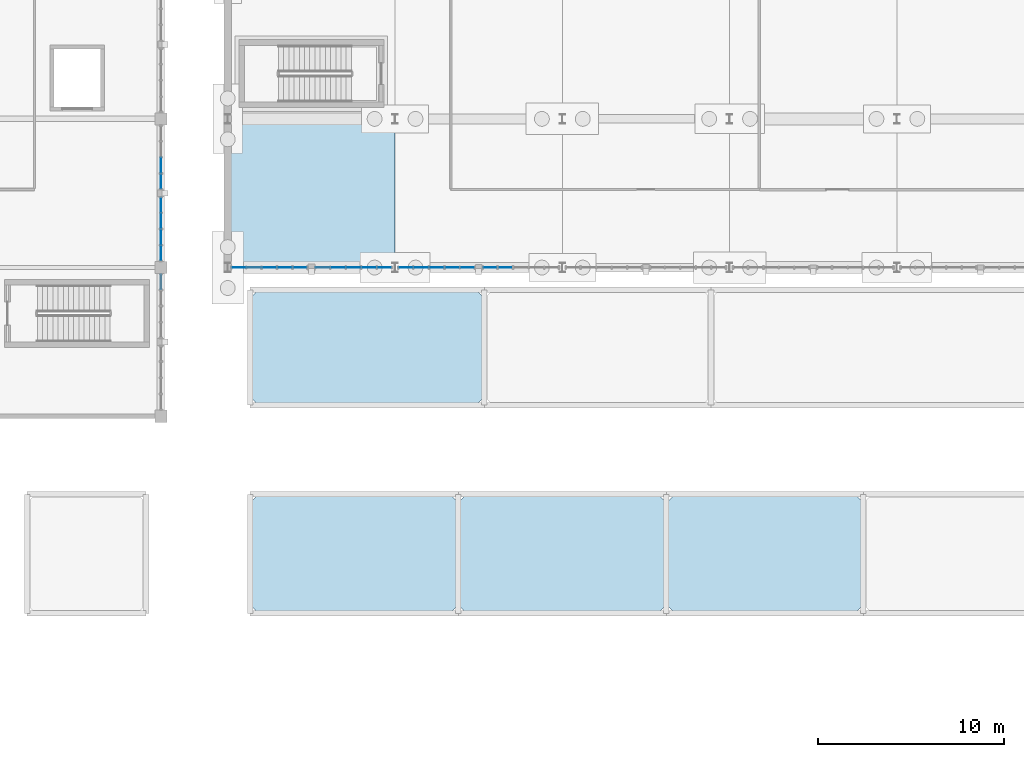
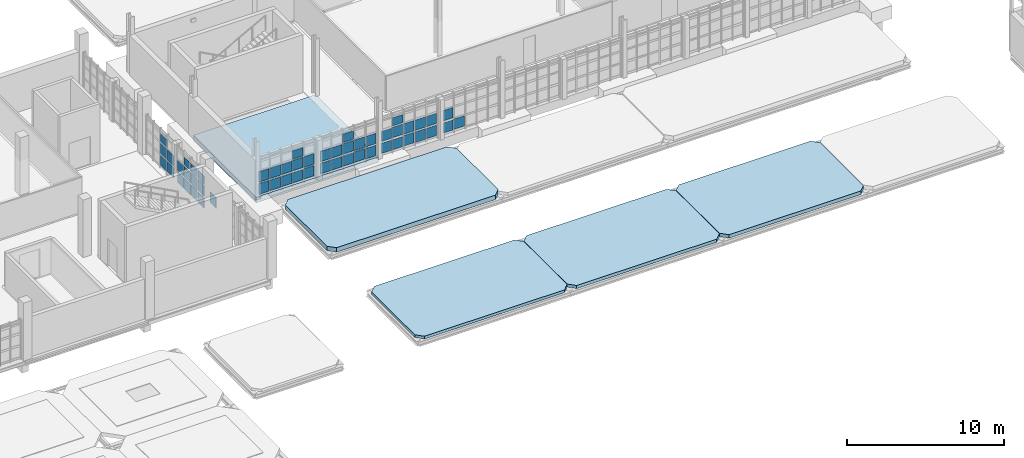
# One storey, part 84 of 125: 53 plates, 5 slabs, 7 elements without a shape of their own.
"""IFC4 building model written with IfcOpenShell, lengths in metres."""

from ifc_helpers import new_model, si_unit, direction, frame, origin, origin_2d, place, context, subcontext, project, spatial, polyline, rectangle, outline, extrude, material, layer, layer_set, type_object, element, aggregate, save


model = new_model("IFC4")

# Units and contexts
model_context = context("Model", 3, precision=1e-05, world=origin(), true_north=direction((0.0, 1.0)))
body_context = subcontext(model_context, "Body", "Model", "MODEL_VIEW")
ifc_project = project(units=[si_unit("LENGTHUNIT", "METRE"), si_unit("AREAUNIT", "SQUARE_METRE"), si_unit("VOLUMEUNIT", "CUBIC_METRE"), si_unit("PLANEANGLEUNIT", "RADIAN"), si_unit("MASSUNIT", "GRAM", prefix="KILO")], contexts=[model_context])

# Site, building, storey
site_placement = place(None, origin())
site = spatial("IfcSite", under=ifc_project, at=site_placement, CompositionType="ELEMENT")
building_placement = place(site_placement, origin())
building = spatial("IfcBuilding", under=site, at=building_placement, Name="Serraforn Aerial Cableway Station", CompositionType="ELEMENT")
storey_placement = place(building_placement, frame((0.0, 0.0, 4.5)))
storey = spatial("IfcBuildingStorey", under=building, at=storey_placement, Name="L01", CompositionType="ELEMENT", Elevation=4.5)

# Curtain wall, plates
ifc_material_1 = material(Name="Anodised bronze unitised curtain wall")
curtain_wall_type_1 = type_object("IfcCurtainWallType", Name="CW-SYS-3", PredefinedType="USERDEFINED", material=ifc_material_1)
curtain_wall_1_placement = place(storey_placement, origin())
curtain_wall_1 = element("IfcCurtainWall", 1, at=curtain_wall_1_placement, inside=storey, type_object=curtain_wall_type_1, Name="Unitised Curtain Wall CW-CV-L01-E2A", ObjectType="UNITISED CURTAIN WALL", PredefinedType="USERDEFINED")
ifc_material_2 = material(Name="Solar-control low-E double glazing", Category="glass")
ifc_layer_1 = layer(ifc_material_2, 0.02587890625)
ifc_layer_set_1 = layer_set([ifc_layer_1], Name="Solar-control low-E double glazing")
plate_type_1 = type_object("IfcPlateType", Name="CW-GLZ-1", PredefinedType="CURTAIN_PANEL", material=ifc_layer_set_1)
plate_1_placement = place(storey_placement, frame((90.60009765625, 26.775146484375, 1.14111328125), z_axis=(0.0, 0.0, 1.0), x_axis=(1.0, 0.0, 0.0)))
plate_1 = element("IfcPlate", 2, at=plate_1_placement, type_object=plate_type_1, Name="Curtain Wall Panel CW-CV-L01-E2A-P1-2", PredefinedType="CURTAIN_PANEL", context=body_context, shape_type="SweptSolid", body=[
    extrude(rectangle(XDim=0.02587890625, YDim=0.7783203125, at=origin_2d()), origin(), (0.0, 0.0, 1.0), 0.802490234375),
])
plate_2_placement = place(storey_placement, frame((90.60009765625, 27.633056640625, 0.20556640625), z_axis=(0.0, 0.0, 1.0), x_axis=(1.0, 0.0, 0.0)))
plate_2 = element("IfcPlate", 3, at=plate_2_placement, type_object=plate_type_1, Name="Curtain Wall Panel CW-CV-L01-E2A-P2-1", PredefinedType="CURTAIN_PANEL", context=body_context, shape_type="SweptSolid", body=[
    extrude(rectangle(XDim=0.02587890625, YDim=0.8056640625, at=origin_2d()), origin(), (0.0, 0.0, 1.0), 0.802490234375),
])

# Curtain wall, plate
curtain_wall_type_2 = type_object("IfcCurtainWallType", Name="CW-SYS-4", PredefinedType="USERDEFINED", material=ifc_material_1)
curtain_wall_2_placement = place(storey_placement, origin())
curtain_wall_2 = element("IfcCurtainWall", 4, at=curtain_wall_2_placement, inside=storey, type_object=curtain_wall_type_2, Name="Unitised Curtain Wall CW-CV-L01-E2B", ObjectType="UNITISED CURTAIN WALL", PredefinedType="USERDEFINED")
plate_3_placement = place(storey_placement, frame((90.60009765625, 30.63330078125, 0.20556640625), z_axis=(0.0, 0.0, 1.0), x_axis=(1.0, 0.0, 0.0)))
plate_3 = element("IfcPlate", 5, at=plate_3_placement, type_object=plate_type_1, Name="Curtain Wall Panel CW-CV-L01-E2B-P1-1", PredefinedType="CURTAIN_PANEL", context=body_context, shape_type="SweptSolid", body=[
    extrude(rectangle(XDim=0.02587890625, YDim=0.770751953125, at=origin_2d()), origin(), (0.0, 0.0, 1.0), 0.802490234375),
])

# Curtain wall, plates
curtain_wall_type_3 = type_object("IfcCurtainWallType", Name="CW-SYS-9", PredefinedType="USERDEFINED", material=ifc_material_1)
curtain_wall_3_placement = place(storey_placement, origin())
curtain_wall_3 = element("IfcCurtainWall", 6, at=curtain_wall_3_placement, inside=storey, type_object=curtain_wall_type_3, Name="Unitised Curtain Wall CW-EL-L01-S1A", ObjectType="UNITISED CURTAIN WALL", PredefinedType="USERDEFINED")
plate_4_placement = place(storey_placement, frame((96.4326171875, 26.0, 1.1337890625), z_axis=(0.0, 0.0, 1.0), x_axis=(1.0, 0.0, 0.0)))
plate_4 = element("IfcPlate", 7, at=plate_4_placement, type_object=plate_type_1, Name="Curtain Wall Panel CW-EL-L01-S1A-P3-2", PredefinedType="CURTAIN_PANEL", context=body_context, shape_type="SweptSolid", body=[
    extrude(rectangle(XDim=0.77587890625, YDim=0.02587890625, at=origin_2d()), origin(), (0.0, 0.0, 1.0), 0.782470703125),
])
plate_5_placement = place(storey_placement, frame((97.26708984375, 26.0, 0.19775390625), z_axis=(0.0, 0.0, 1.0), x_axis=(1.0, 0.0, 0.0)))
plate_5 = element("IfcPlate", 8, at=plate_5_placement, type_object=plate_type_1, Name="Curtain Wall Panel CW-EL-L01-S1A-P4-1", PredefinedType="CURTAIN_PANEL", context=body_context, shape_type="SweptSolid", body=[
    extrude(rectangle(XDim=0.77099609375, YDim=0.02587890625, at=origin_2d()), origin(), (0.0, 0.0, 1.0), 0.782470703125),
])

curtain_wall_type_4 = type_object("IfcCurtainWallType", Name="CW-SYS-10", PredefinedType="USERDEFINED", material=ifc_material_1)
curtain_wall_4_placement = place(storey_placement, origin())
curtain_wall_4 = element("IfcCurtainWall", 9, at=curtain_wall_4_placement, inside=storey, type_object=curtain_wall_type_4, Name="Unitised Curtain Wall CW-EL-L01-S1B", ObjectType="UNITISED CURTAIN WALL", PredefinedType="USERDEFINED")
plate_6_placement = place(storey_placement, frame((100.13037109375, 26.0, 1.1337890625), z_axis=(0.0, 0.0, 1.0), x_axis=(1.0, 0.0, 0.0)))
plate_6 = element("IfcPlate", 10, at=plate_6_placement, type_object=plate_type_1, Name="Curtain Wall Panel CW-EL-L01-S1B-P2-2", PredefinedType="CURTAIN_PANEL", context=body_context, shape_type="SweptSolid", body=[
    extrude(rectangle(XDim=0.77587890625, YDim=0.02587890625, at=origin_2d()), origin(), (0.0, 0.0, 1.0), 0.782470703125),
])
plate_7_placement = place(storey_placement, frame((100.964599609375, 26.0, 0.19775390625), z_axis=(0.0, 0.0, 1.0), x_axis=(1.0, 0.0, 0.0)))
plate_7 = element("IfcPlate", 11, at=plate_7_placement, type_object=plate_type_1, Name="Curtain Wall Panel CW-EL-L01-S1B-P3-1", PredefinedType="CURTAIN_PANEL", context=body_context, shape_type="SweptSolid", body=[
    extrude(rectangle(XDim=0.77099609375, YDim=0.02587890625, at=origin_2d()), origin(), (0.0, 0.0, 1.0), 0.782470703125),
])

curtain_wall_type_5 = type_object("IfcCurtainWallType", Name="CW-SYS-11", PredefinedType="USERDEFINED", material=ifc_material_1)
curtain_wall_5_placement = place(storey_placement, origin())
curtain_wall_5 = element("IfcCurtainWall", 12, at=curtain_wall_5_placement, inside=storey, type_object=curtain_wall_type_5, Name="Unitised Curtain Wall CW-EL-L01-S2A", ObjectType="UNITISED CURTAIN WALL", PredefinedType="USERDEFINED")
plate_8_placement = place(storey_placement, frame((103.77880859375, 26.0, 1.1337890625), z_axis=(0.0, 0.0, 1.0), x_axis=(1.0, 0.0, 0.0)))
plate_8 = element("IfcPlate", 13, at=plate_8_placement, type_object=plate_type_1, Name="Curtain Wall Panel CW-EL-L01-S2A-P1-2", PredefinedType="CURTAIN_PANEL", context=body_context, shape_type="SweptSolid", body=[
    extrude(rectangle(XDim=0.745849609375, YDim=0.02587890625, at=origin_2d()), origin(), (0.0, 0.0, 1.0), 0.782470703125),
])
plate_9_placement = place(storey_placement, frame((104.598388671875, 26.0, 0.19775390625), z_axis=(0.0, 0.0, 1.0), x_axis=(1.0, 0.0, 0.0)))
plate_9 = element("IfcPlate", 14, at=plate_9_placement, type_object=plate_type_1, Name="Curtain Wall Panel CW-EL-L01-S2A-P2-1", PredefinedType="CURTAIN_PANEL", context=body_context, shape_type="SweptSolid", body=[
    extrude(rectangle(XDim=0.77099609375, YDim=0.02587890625, at=origin_2d()), origin(), (0.0, 0.0, 1.0), 0.782470703125),
])

# Curtain wall, plate
curtain_wall_type_6 = type_object("IfcCurtainWallType", Name="CW-SYS-12", PredefinedType="USERDEFINED", material=ifc_material_1)
curtain_wall_6_placement = place(storey_placement, origin())
curtain_wall_6 = element("IfcCurtainWall", 15, at=curtain_wall_6_placement, inside=storey, type_object=curtain_wall_type_6, Name="Unitised Curtain Wall CW-EL-L01-S2B", ObjectType="UNITISED CURTAIN WALL", PredefinedType="USERDEFINED")
plate_10_placement = place(storey_placement, frame((108.312255859375, 26.0, 0.19775390625), z_axis=(0.0, 0.0, 1.0), x_axis=(1.0, 0.0, 0.0)))
plate_10 = element("IfcPlate", 16, at=plate_10_placement, type_object=plate_type_1, Name="Curtain Wall Panel CW-EL-L01-S2B-P1-1", PredefinedType="CURTAIN_PANEL", context=body_context, shape_type="SweptSolid", body=[
    extrude(rectangle(XDim=0.73828125, YDim=0.02587890625, at=origin_2d()), origin(), (0.0, 0.0, 1.0), 0.782470703125),
])

# Plate
ifc_layer_2 = layer(ifc_material_2, 0.028076171875)
ifc_layer_set_2 = layer_set([ifc_layer_2], Name="Solar-control low-E double glazing")
plate_type_2 = type_object("IfcPlateType", Name="CW-GLZ-2", PredefinedType="CURTAIN_PANEL", material=ifc_layer_set_2)
plate_11_placement = place(storey_placement, frame((90.60009765625, 26.775146484375, 2.0498046875), z_axis=(0.0, 0.0, 1.0), x_axis=(1.0, 0.0, 0.0)))
plate_11 = element("IfcPlate", 17, at=plate_11_placement, type_object=plate_type_2, Name="Curtain Wall Panel CW-CV-L01-E2A-P1-3", PredefinedType="CURTAIN_PANEL", context=body_context, shape_type="SweptSolid", body=[
    extrude(rectangle(XDim=0.028076171875, YDim=0.7783203125, at=origin_2d()), origin(), (0.0, 0.0, 1.0), 0.6376953125),
])

plate_12_placement = place(storey_placement, frame((90.60009765625, 27.633056640625, 1.11376953125), z_axis=(0.0, 0.0, 1.0), x_axis=(1.0, 0.0, 0.0)))
plate_12 = element("IfcPlate", 18, at=plate_12_placement, type_object=plate_type_2, Name="Curtain Wall Panel CW-CV-L01-E2A-P2-2", PredefinedType="CURTAIN_PANEL", context=body_context, shape_type="SweptSolid", body=[
    extrude(rectangle(XDim=0.028076171875, YDim=0.8056640625, at=origin_2d()), origin(), (0.0, 0.0, 1.0), 0.824951171875),
])

plate_13_placement = place(storey_placement, frame((90.60009765625, 28.513671875, 0.177734375), z_axis=(0.0, 0.0, 1.0), x_axis=(1.0, 0.0, 0.0)))
plate_13 = element("IfcPlate", 19, at=plate_13_placement, type_object=plate_type_2, Name="Curtain Wall Panel CW-CV-L01-E2A-P3-1", PredefinedType="CURTAIN_PANEL", context=body_context, shape_type="SweptSolid", body=[
    extrude(rectangle(XDim=0.028076171875, YDim=0.813232421875, at=origin_2d()), origin(), (0.0, 0.0, 1.0), 0.824951171875),
])

plate_14_placement = place(storey_placement, frame((90.60009765625, 30.63330078125, 1.11376953125), z_axis=(0.0, 0.0, 1.0), x_axis=(1.0, 0.0, 0.0)))
plate_14 = element("IfcPlate", 20, at=plate_14_placement, type_object=plate_type_2, Name="Curtain Wall Panel CW-CV-L01-E2B-P1-2", PredefinedType="CURTAIN_PANEL", context=body_context, shape_type="SweptSolid", body=[
    extrude(rectangle(XDim=0.028076171875, YDim=0.770751953125, at=origin_2d()), origin(), (0.0, 0.0, 1.0), 0.824951171875),
])

plate_15_placement = place(storey_placement, frame((90.60009765625, 31.496337890625, 0.177734375), z_axis=(0.0, 0.0, 1.0), x_axis=(1.0, 0.0, 0.0)))
plate_15 = element("IfcPlate", 21, at=plate_15_placement, type_object=plate_type_2, Name="Curtain Wall Panel CW-CV-L01-E2B-P2-1", PredefinedType="CURTAIN_PANEL", context=body_context, shape_type="SweptSolid", body=[
    extrude(rectangle(XDim=0.028076171875, YDim=0.813232421875, at=origin_2d()), origin(), (0.0, 0.0, 1.0), 0.824951171875),
])

plate_16_placement = place(storey_placement, frame((97.26708984375, 26.0, 1.14111328125), z_axis=(0.0, 0.0, 1.0), x_axis=(1.0, 0.0, 0.0)))
plate_16 = element("IfcPlate", 22, at=plate_16_placement, type_object=plate_type_2, Name="Curtain Wall Panel CW-EL-L01-S1A-P4-2", PredefinedType="CURTAIN_PANEL", context=body_context, shape_type="SweptSolid", body=[
    extrude(rectangle(XDim=0.77099609375, YDim=0.028076171875, at=origin_2d()), origin(), (0.0, 0.0, 1.0), 0.802490234375),
])

plate_17_placement = place(storey_placement, frame((98.082763671875, 26.0, 0.20556640625), z_axis=(0.0, 0.0, 1.0), x_axis=(1.0, 0.0, 0.0)))
plate_17 = element("IfcPlate", 23, at=plate_17_placement, type_object=plate_type_2, Name="Curtain Wall Panel CW-EL-L01-S1A-P5-1", PredefinedType="CURTAIN_PANEL", context=body_context, shape_type="SweptSolid", body=[
    extrude(rectangle(XDim=0.728515625, YDim=0.028076171875, at=origin_2d()), origin(), (0.0, 0.0, 1.0), 0.802490234375),
])

plate_18_placement = place(storey_placement, frame((100.964599609375, 26.0, 1.14111328125), z_axis=(0.0, 0.0, 1.0), x_axis=(1.0, 0.0, 0.0)))
plate_18 = element("IfcPlate", 24, at=plate_18_placement, type_object=plate_type_2, Name="Curtain Wall Panel CW-EL-L01-S1B-P3-2", PredefinedType="CURTAIN_PANEL", context=body_context, shape_type="SweptSolid", body=[
    extrude(rectangle(XDim=0.77099609375, YDim=0.028076171875, at=origin_2d()), origin(), (0.0, 0.0, 1.0), 0.802490234375),
])

plate_19_placement = place(storey_placement, frame((101.799072265625, 26.0, 0.20556640625), z_axis=(0.0, 0.0, 1.0), x_axis=(1.0, 0.0, 0.0)))
plate_19 = element("IfcPlate", 25, at=plate_19_placement, type_object=plate_type_2, Name="Curtain Wall Panel CW-EL-L01-S1B-P4-1", PredefinedType="CURTAIN_PANEL", context=body_context, shape_type="SweptSolid", body=[
    extrude(rectangle(XDim=0.765869140625, YDim=0.028076171875, at=origin_2d()), origin(), (0.0, 0.0, 1.0), 0.802490234375),
])

plate_20_placement = place(storey_placement, frame((104.598388671875, 26.0, 1.14111328125), z_axis=(0.0, 0.0, 1.0), x_axis=(1.0, 0.0, 0.0)))
plate_20 = element("IfcPlate", 26, at=plate_20_placement, type_object=plate_type_2, Name="Curtain Wall Panel CW-EL-L01-S2A-P2-2", PredefinedType="CURTAIN_PANEL", context=body_context, shape_type="SweptSolid", body=[
    extrude(rectangle(XDim=0.77099609375, YDim=0.028076171875, at=origin_2d()), origin(), (0.0, 0.0, 1.0), 0.802490234375),
])

plate_21_placement = place(storey_placement, frame((105.4326171875, 26.0, 0.20556640625), z_axis=(0.0, 0.0, 1.0), x_axis=(1.0, 0.0, 0.0)))
plate_21 = element("IfcPlate", 27, at=plate_21_placement, type_object=plate_type_2, Name="Curtain Wall Panel CW-EL-L01-S2A-P3-1", PredefinedType="CURTAIN_PANEL", context=body_context, shape_type="SweptSolid", body=[
    extrude(rectangle(XDim=0.765869140625, YDim=0.028076171875, at=origin_2d()), origin(), (0.0, 0.0, 1.0), 0.802490234375),
])

plate_22_placement = place(storey_placement, frame((108.312255859375, 26.0, 1.14111328125), z_axis=(0.0, 0.0, 1.0), x_axis=(1.0, 0.0, 0.0)))
plate_22 = element("IfcPlate", 28, at=plate_22_placement, type_object=plate_type_2, Name="Curtain Wall Panel CW-EL-L01-S2B-P1-2", PredefinedType="CURTAIN_PANEL", context=body_context, shape_type="SweptSolid", body=[
    extrude(rectangle(XDim=0.73828125, YDim=0.028076171875, at=origin_2d()), origin(), (0.0, 0.0, 1.0), 0.802490234375),
])

plate_23_placement = place(storey_placement, frame((109.13037109375, 26.0, 0.20556640625), z_axis=(0.0, 0.0, 1.0), x_axis=(1.0, 0.0, 0.0)))
plate_23 = element("IfcPlate", 29, at=plate_23_placement, type_object=plate_type_2, Name="Curtain Wall Panel CW-EL-L01-S2B-P2-1", PredefinedType="CURTAIN_PANEL", context=body_context, shape_type="SweptSolid", body=[
    extrude(rectangle(XDim=0.765869140625, YDim=0.028076171875, at=origin_2d()), origin(), (0.0, 0.0, 1.0), 0.802490234375),
])

aggregate(curtain_wall_6, [plate_10, plate_22, plate_23])

# Curtain wall, plate
curtain_wall_type_7 = type_object("IfcCurtainWallType", Name="CW-SYS-2", PredefinedType="USERDEFINED", material=ifc_material_1)
curtain_wall_7_placement = place(storey_placement, origin())
curtain_wall_7 = element("IfcCurtainWall", 30, at=curtain_wall_7_placement, inside=storey, type_object=curtain_wall_type_7, Name="Unitised Curtain Wall CW-CV-L01-E1B", ObjectType="UNITISED CURTAIN WALL", PredefinedType="USERDEFINED")
ifc_layer_3 = layer(ifc_material_2, 0.030029296875)
ifc_layer_set_3 = layer_set([ifc_layer_3], Name="Solar-control low-E double glazing")
plate_type_3 = type_object("IfcPlateType", Name="CW-GLZ-3", PredefinedType="CURTAIN_PANEL", material=ifc_layer_set_3)
plate_24_placement = place(storey_placement, frame((90.60009765625, 25.231201171875, 1.118896484375), z_axis=(0.0, 0.0, 1.0), x_axis=(1.0, 0.0, 0.0)))
plate_24 = element("IfcPlate", 31, at=plate_24_placement, type_object=plate_type_3, Name="Curtain Wall Panel CW-CV-L01-E1B-P4-2", PredefinedType="CURTAIN_PANEL", context=body_context, shape_type="SweptSolid", body=[
    extrude(rectangle(XDim=0.030029296875, YDim=0.78564453125, at=origin_2d()), origin(), (0.0, 0.0, 1.0), 0.8125),
])
aggregate(curtain_wall_7, [plate_24])

# Plate
plate_25_placement = place(storey_placement, frame((90.60009765625, 27.633056640625, 2.0546875), z_axis=(0.0, 0.0, 1.0), x_axis=(1.0, 0.0, 0.0)))
plate_25 = element("IfcPlate", 32, at=plate_25_placement, type_object=plate_type_3, Name="Curtain Wall Panel CW-CV-L01-E2A-P2-3", PredefinedType="CURTAIN_PANEL", context=body_context, shape_type="SweptSolid", body=[
    extrude(rectangle(XDim=0.030029296875, YDim=0.8056640625, at=origin_2d()), origin(), (0.0, 0.0, 1.0), 0.625244140625),
])

plate_26_placement = place(storey_placement, frame((90.60009765625, 28.513671875, 1.118896484375), z_axis=(0.0, 0.0, 1.0), x_axis=(1.0, 0.0, 0.0)))
plate_26 = element("IfcPlate", 33, at=plate_26_placement, type_object=plate_type_3, Name="Curtain Wall Panel CW-CV-L01-E2A-P3-2", PredefinedType="CURTAIN_PANEL", context=body_context, shape_type="SweptSolid", body=[
    extrude(rectangle(XDim=0.030029296875, YDim=0.813232421875, at=origin_2d()), origin(), (0.0, 0.0, 1.0), 0.8125),
])

plate_27_placement = place(storey_placement, frame((90.60009765625, 29.36669921875, 0.182861328125), z_axis=(0.0, 0.0, 1.0), x_axis=(1.0, 0.0, 0.0)))
plate_27 = element("IfcPlate", 34, at=plate_27_placement, type_object=plate_type_3, Name="Curtain Wall Panel CW-CV-L01-E2A-P4-1", PredefinedType="CURTAIN_PANEL", context=body_context, shape_type="SweptSolid", body=[
    extrude(rectangle(XDim=0.030029296875, YDim=0.790771484375, at=origin_2d()), origin(), (0.0, 0.0, 1.0), 0.8125),
])

plate_28_placement = place(storey_placement, frame((90.60009765625, 31.496337890625, 1.118896484375), z_axis=(0.0, 0.0, 1.0), x_axis=(1.0, 0.0, 0.0)))
plate_28 = element("IfcPlate", 35, at=plate_28_placement, type_object=plate_type_3, Name="Curtain Wall Panel CW-CV-L01-E2B-P2-2", PredefinedType="CURTAIN_PANEL", context=body_context, shape_type="SweptSolid", body=[
    extrude(rectangle(XDim=0.030029296875, YDim=0.813232421875, at=origin_2d()), origin(), (0.0, 0.0, 1.0), 0.8125),
])

plate_29_placement = place(storey_placement, frame((97.26708984375, 26.0, 2.0498046875), z_axis=(0.0, 0.0, 1.0), x_axis=(1.0, 0.0, 0.0)))
plate_29 = element("IfcPlate", 36, at=plate_29_placement, type_object=plate_type_3, Name="Curtain Wall Panel CW-EL-L01-S1A-P4-3", PredefinedType="CURTAIN_PANEL", context=body_context, shape_type="SweptSolid", body=[
    extrude(rectangle(XDim=0.77099609375, YDim=0.030029296875, at=origin_2d()), origin(), (0.0, 0.0, 1.0), 0.6376953125),
])

plate_30_placement = place(storey_placement, frame((98.082763671875, 26.0, 1.11376953125), z_axis=(0.0, 0.0, 1.0), x_axis=(1.0, 0.0, 0.0)))
plate_30 = element("IfcPlate", 37, at=plate_30_placement, type_object=plate_type_3, Name="Curtain Wall Panel CW-EL-L01-S1A-P5-2", PredefinedType="CURTAIN_PANEL", context=body_context, shape_type="SweptSolid", body=[
    extrude(rectangle(XDim=0.728515625, YDim=0.030029296875, at=origin_2d()), origin(), (0.0, 0.0, 1.0), 0.824951171875),
])

plate_31_placement = place(storey_placement, frame((100.964599609375, 26.0, 2.0498046875), z_axis=(0.0, 0.0, 1.0), x_axis=(1.0, 0.0, 0.0)))
plate_31 = element("IfcPlate", 38, at=plate_31_placement, type_object=plate_type_3, Name="Curtain Wall Panel CW-EL-L01-S1B-P3-3", PredefinedType="CURTAIN_PANEL", context=body_context, shape_type="SweptSolid", body=[
    extrude(rectangle(XDim=0.77099609375, YDim=0.030029296875, at=origin_2d()), origin(), (0.0, 0.0, 1.0), 0.6376953125),
])

plate_32_placement = place(storey_placement, frame((101.799072265625, 26.0, 1.11376953125), z_axis=(0.0, 0.0, 1.0), x_axis=(1.0, 0.0, 0.0)))
plate_32 = element("IfcPlate", 39, at=plate_32_placement, type_object=plate_type_3, Name="Curtain Wall Panel CW-EL-L01-S1B-P4-2", PredefinedType="CURTAIN_PANEL", context=body_context, shape_type="SweptSolid", body=[
    extrude(rectangle(XDim=0.765869140625, YDim=0.030029296875, at=origin_2d()), origin(), (0.0, 0.0, 1.0), 0.824951171875),
])

plate_33_placement = place(storey_placement, frame((102.626220703125, 26.0, 0.177734375), z_axis=(0.0, 0.0, 1.0), x_axis=(1.0, 0.0, 0.0)))
plate_33 = element("IfcPlate", 40, at=plate_33_placement, type_object=plate_type_3, Name="Curtain Wall Panel CW-EL-L01-S1B-P5-1", PredefinedType="CURTAIN_PANEL", context=body_context, shape_type="SweptSolid", body=[
    extrude(rectangle(XDim=0.745849609375, YDim=0.030029296875, at=origin_2d()), origin(), (0.0, 0.0, 1.0), 0.824951171875),
])

plate_34_placement = place(storey_placement, frame((104.598388671875, 26.0, 2.0498046875), z_axis=(0.0, 0.0, 1.0), x_axis=(1.0, 0.0, 0.0)))
plate_34 = element("IfcPlate", 41, at=plate_34_placement, type_object=plate_type_3, Name="Curtain Wall Panel CW-EL-L01-S2A-P2-3", PredefinedType="CURTAIN_PANEL", context=body_context, shape_type="SweptSolid", body=[
    extrude(rectangle(XDim=0.77099609375, YDim=0.030029296875, at=origin_2d()), origin(), (0.0, 0.0, 1.0), 0.6376953125),
])

plate_35_placement = place(storey_placement, frame((105.4326171875, 26.0, 1.11376953125), z_axis=(0.0, 0.0, 1.0), x_axis=(1.0, 0.0, 0.0)))
plate_35 = element("IfcPlate", 42, at=plate_35_placement, type_object=plate_type_3, Name="Curtain Wall Panel CW-EL-L01-S2A-P3-2", PredefinedType="CURTAIN_PANEL", context=body_context, shape_type="SweptSolid", body=[
    extrude(rectangle(XDim=0.765869140625, YDim=0.030029296875, at=origin_2d()), origin(), (0.0, 0.0, 1.0), 0.824951171875),
])

plate_36_placement = place(storey_placement, frame((106.2734375, 26.0, 0.177734375), z_axis=(0.0, 0.0, 1.0), x_axis=(1.0, 0.0, 0.0)))
plate_36 = element("IfcPlate", 43, at=plate_36_placement, type_object=plate_type_3, Name="Curtain Wall Panel CW-EL-L01-S2A-P4-1", PredefinedType="CURTAIN_PANEL", context=body_context, shape_type="SweptSolid", body=[
    extrude(rectangle(XDim=0.7734375, YDim=0.030029296875, at=origin_2d()), origin(), (0.0, 0.0, 1.0), 0.824951171875),
])

ifc_layer_4 = layer(ifc_material_2, 0.031982421875)
ifc_layer_set_4 = layer_set([ifc_layer_4], Name="Solar-control low-E double glazing")
plate_type_4 = type_object("IfcPlateType", Name="CW-GLZ-4", PredefinedType="CURTAIN_PANEL", material=ifc_layer_set_4)
plate_37_placement = place(storey_placement, frame((90.60009765625, 28.513671875, 2.062255859375), z_axis=(0.0, 0.0, 1.0), x_axis=(1.0, 0.0, 0.0)))
plate_37 = element("IfcPlate", 44, at=plate_37_placement, type_object=plate_type_4, Name="Curtain Wall Panel CW-CV-L01-E2A-P3-3", PredefinedType="CURTAIN_PANEL", context=body_context, shape_type="SweptSolid", body=[
    extrude(rectangle(XDim=0.031982421875, YDim=0.813232421875, at=origin_2d()), origin(), (0.0, 0.0, 1.0), 0.6103515625),
])

plate_38_placement = place(storey_placement, frame((90.60009765625, 29.36669921875, 1.12646484375), z_axis=(0.0, 0.0, 1.0), x_axis=(1.0, 0.0, 0.0)))
plate_38 = element("IfcPlate", 45, at=plate_38_placement, type_object=plate_type_4, Name="Curtain Wall Panel CW-CV-L01-E2A-P4-2", PredefinedType="CURTAIN_PANEL", context=body_context, shape_type="SweptSolid", body=[
    extrude(rectangle(XDim=0.031982421875, YDim=0.790771484375, at=origin_2d()), origin(), (0.0, 0.0, 1.0), 0.797607421875),
])

plate_39_placement = place(storey_placement, frame((90.60009765625, 31.496337890625, 2.062255859375), z_axis=(0.0, 0.0, 1.0), x_axis=(1.0, 0.0, 0.0)))
plate_39 = element("IfcPlate", 46, at=plate_39_placement, type_object=plate_type_4, Name="Curtain Wall Panel CW-CV-L01-E2B-P2-3", PredefinedType="CURTAIN_PANEL", context=body_context, shape_type="SweptSolid", body=[
    extrude(rectangle(XDim=0.031982421875, YDim=0.813232421875, at=origin_2d()), origin(), (0.0, 0.0, 1.0), 0.6103515625),
])

aggregate(curtain_wall_2, [plate_3, plate_14, plate_15, plate_28, plate_39])

plate_40_placement = place(storey_placement, frame((102.626220703125, 26.0, 1.118896484375), z_axis=(0.0, 0.0, 1.0), x_axis=(1.0, 0.0, 0.0)))
plate_40 = element("IfcPlate", 47, at=plate_40_placement, type_object=plate_type_4, Name="Curtain Wall Panel CW-EL-L01-S1B-P5-2", PredefinedType="CURTAIN_PANEL", context=body_context, shape_type="SweptSolid", body=[
    extrude(rectangle(XDim=0.745849609375, YDim=0.031982421875, at=origin_2d()), origin(), (0.0, 0.0, 1.0), 0.8125),
])

plate_41_placement = place(storey_placement, frame((106.2734375, 26.0, 1.118896484375), z_axis=(0.0, 0.0, 1.0), x_axis=(1.0, 0.0, 0.0)))
plate_41 = element("IfcPlate", 48, at=plate_41_placement, type_object=plate_type_4, Name="Curtain Wall Panel CW-EL-L01-S2A-P4-2", PredefinedType="CURTAIN_PANEL", context=body_context, shape_type="SweptSolid", body=[
    extrude(rectangle(XDim=0.7734375, YDim=0.031982421875, at=origin_2d()), origin(), (0.0, 0.0, 1.0), 0.8125),
])

plate_42_placement = place(storey_placement, frame((107.086669921875, 26.0, 0.182861328125), z_axis=(0.0, 0.0, 1.0), x_axis=(1.0, 0.0, 0.0)))
plate_42 = element("IfcPlate", 49, at=plate_42_placement, type_object=plate_type_4, Name="Curtain Wall Panel CW-EL-L01-S2A-P5-1", PredefinedType="CURTAIN_PANEL", context=body_context, shape_type="SweptSolid", body=[
    extrude(rectangle(XDim=0.7509765625, YDim=0.031982421875, at=origin_2d()), origin(), (0.0, 0.0, 1.0), 0.8125),
])

ifc_layer_5 = layer(ifc_material_2, 0.033935546875)
ifc_layer_set_5 = layer_set([ifc_layer_5], Name="Solar-control low-E double glazing")
plate_type_5 = type_object("IfcPlateType", Name="CW-GLZ-5", PredefinedType="CURTAIN_PANEL", material=ifc_layer_set_5)
plate_43_placement = place(storey_placement, frame((107.086669921875, 26.0, 1.12646484375), z_axis=(0.0, 0.0, 1.0), x_axis=(1.0, 0.0, 0.0)))
plate_43 = element("IfcPlate", 50, at=plate_43_placement, type_object=plate_type_5, Name="Curtain Wall Panel CW-EL-L01-S2A-P5-2", PredefinedType="CURTAIN_PANEL", context=body_context, shape_type="SweptSolid", body=[
    extrude(rectangle(XDim=0.7509765625, YDim=0.033935546875, at=origin_2d()), origin(), (0.0, 0.0, 1.0), 0.797607421875),
])

ifc_layer_6 = layer(ifc_material_2, 0.035888671875)
ifc_layer_set_6 = layer_set([ifc_layer_6], Name="Solar-control low-E double glazing")
plate_type_6 = type_object("IfcPlateType", Name="CW-GLZ-6", PredefinedType="CURTAIN_PANEL", material=ifc_layer_set_6)
plate_44_placement = place(storey_placement, frame((94.788818359375, 26.0, 0.177734375), z_axis=(0.0, 0.0, 1.0), x_axis=(1.0, 0.0, 0.0)))
plate_44 = element("IfcPlate", 51, at=plate_44_placement, type_object=plate_type_6, Name="Curtain Wall Panel CW-EL-L01-S1A-P1-1", PredefinedType="CURTAIN_PANEL", context=body_context, shape_type="SweptSolid", body=[
    extrude(rectangle(XDim=0.73583984375, YDim=0.035888671875, at=origin_2d()), origin(), (0.0, 0.0, 1.0), 0.824951171875),
])

ifc_layer_7 = layer(ifc_material_2, 0.029052734375)
ifc_layer_set_7 = layer_set([ifc_layer_7], Name="Solar-control low-E double glazing")
plate_type_7 = type_object("IfcPlateType", Name="CW-GLZ-7", PredefinedType="CURTAIN_PANEL", material=ifc_layer_set_7)
plate_45_placement = place(storey_placement, frame((94.788818359375, 26.0, 1.118896484375), z_axis=(0.0, 0.0, 1.0), x_axis=(1.0, 0.0, 0.0)))
plate_45 = element("IfcPlate", 52, at=plate_45_placement, type_object=plate_type_7, Name="Curtain Wall Panel CW-EL-L01-S1A-P1-2", PredefinedType="CURTAIN_PANEL", context=body_context, shape_type="SweptSolid", body=[
    extrude(rectangle(XDim=0.73583984375, YDim=0.029052734375, at=origin_2d()), origin(), (0.0, 0.0, 1.0), 0.8125),
])

plate_46_placement = place(storey_placement, frame((95.598388671875, 26.0, 0.182861328125), z_axis=(0.0, 0.0, 1.0), x_axis=(1.0, 0.0, 0.0)))
plate_46 = element("IfcPlate", 53, at=plate_46_placement, type_object=plate_type_7, Name="Curtain Wall Panel CW-EL-L01-S1A-P2-1", PredefinedType="CURTAIN_PANEL", context=body_context, shape_type="SweptSolid", body=[
    extrude(rectangle(XDim=0.781005859375, YDim=0.029052734375, at=origin_2d()), origin(), (0.0, 0.0, 1.0), 0.8125),
])

plate_47_placement = place(storey_placement, frame((99.309814453125, 26.0, 0.182861328125), z_axis=(0.0, 0.0, 1.0), x_axis=(1.0, 0.0, 0.0)))
plate_47 = element("IfcPlate", 54, at=plate_47_placement, type_object=plate_type_7, Name="Curtain Wall Panel CW-EL-L01-S1B-P1-1", PredefinedType="CURTAIN_PANEL", context=body_context, shape_type="SweptSolid", body=[
    extrude(rectangle(XDim=0.75341796875, YDim=0.029052734375, at=origin_2d()), origin(), (0.0, 0.0, 1.0), 0.8125),
])

ifc_layer_8 = layer(ifc_material_2, 0.031005859375)
ifc_layer_set_8 = layer_set([ifc_layer_8], Name="Solar-control low-E double glazing")
plate_type_8 = type_object("IfcPlateType", Name="CW-GLZ-8", PredefinedType="CURTAIN_PANEL", material=ifc_layer_set_8)
plate_48_placement = place(storey_placement, frame((90.60009765625, 26.775146484375, 0.19775390625), z_axis=(0.0, 0.0, 1.0), x_axis=(1.0, 0.0, 0.0)))
plate_48 = element("IfcPlate", 55, at=plate_48_placement, type_object=plate_type_8, Name="Curtain Wall Panel CW-CV-L01-E2A-P1-1", PredefinedType="CURTAIN_PANEL", context=body_context, shape_type="SweptSolid", body=[
    extrude(rectangle(XDim=0.031005859375, YDim=0.7783203125, at=origin_2d()), origin(), (0.0, 0.0, 1.0), 0.782470703125),
])

aggregate(curtain_wall_1, [plate_48, plate_1, plate_11, plate_2, plate_12, plate_25, plate_13, plate_26, plate_37, plate_27, plate_38])

plate_49_placement = place(storey_placement, frame((95.598388671875, 26.0, 1.12646484375), z_axis=(0.0, 0.0, 1.0), x_axis=(1.0, 0.0, 0.0)))
plate_49 = element("IfcPlate", 56, at=plate_49_placement, type_object=plate_type_8, Name="Curtain Wall Panel CW-EL-L01-S1A-P2-2", PredefinedType="CURTAIN_PANEL", context=body_context, shape_type="SweptSolid", body=[
    extrude(rectangle(XDim=0.781005859375, YDim=0.031005859375, at=origin_2d()), origin(), (0.0, 0.0, 1.0), 0.797607421875),
])

plate_50_placement = place(storey_placement, frame((96.4326171875, 26.0, 0.1904296875), z_axis=(0.0, 0.0, 1.0), x_axis=(1.0, 0.0, 0.0)))
plate_50 = element("IfcPlate", 57, at=plate_50_placement, type_object=plate_type_8, Name="Curtain Wall Panel CW-EL-L01-S1A-P3-1", PredefinedType="CURTAIN_PANEL", context=body_context, shape_type="SweptSolid", body=[
    extrude(rectangle(XDim=0.77587890625, YDim=0.031005859375, at=origin_2d()), origin(), (0.0, 0.0, 1.0), 0.797607421875),
])

aggregate(curtain_wall_3, [plate_44, plate_45, plate_46, plate_49, plate_50, plate_4, plate_5, plate_16, plate_29, plate_17, plate_30])

plate_51_placement = place(storey_placement, frame((99.309814453125, 26.0, 1.12646484375), z_axis=(0.0, 0.0, 1.0), x_axis=(1.0, 0.0, 0.0)))
plate_51 = element("IfcPlate", 58, at=plate_51_placement, type_object=plate_type_8, Name="Curtain Wall Panel CW-EL-L01-S1B-P1-2", PredefinedType="CURTAIN_PANEL", context=body_context, shape_type="SweptSolid", body=[
    extrude(rectangle(XDim=0.75341796875, YDim=0.031005859375, at=origin_2d()), origin(), (0.0, 0.0, 1.0), 0.797607421875),
])

plate_52_placement = place(storey_placement, frame((100.13037109375, 26.0, 0.1904296875), z_axis=(0.0, 0.0, 1.0), x_axis=(1.0, 0.0, 0.0)))
plate_52 = element("IfcPlate", 59, at=plate_52_placement, type_object=plate_type_8, Name="Curtain Wall Panel CW-EL-L01-S1B-P2-1", PredefinedType="CURTAIN_PANEL", context=body_context, shape_type="SweptSolid", body=[
    extrude(rectangle(XDim=0.77587890625, YDim=0.031005859375, at=origin_2d()), origin(), (0.0, 0.0, 1.0), 0.797607421875),
])

aggregate(curtain_wall_4, [plate_47, plate_51, plate_52, plate_6, plate_7, plate_18, plate_31, plate_19, plate_32, plate_33, plate_40])

plate_53_placement = place(storey_placement, frame((103.77880859375, 26.0, 0.1904296875), z_axis=(0.0, 0.0, 1.0), x_axis=(1.0, 0.0, 0.0)))
plate_53 = element("IfcPlate", 60, at=plate_53_placement, type_object=plate_type_8, Name="Curtain Wall Panel CW-EL-L01-S2A-P1-1", PredefinedType="CURTAIN_PANEL", context=body_context, shape_type="SweptSolid", body=[
    extrude(rectangle(XDim=0.745849609375, YDim=0.031005859375, at=origin_2d()), origin(), (0.0, 0.0, 1.0), 0.797607421875),
])

aggregate(curtain_wall_5, [plate_53, plate_8, plate_9, plate_20, plate_34, plate_21, plate_35, plate_36, plate_41, plate_42, plate_43])

# Slabs
ifc_material_3 = material(Name="Concrete C35/45", Category="concrete")
ifc_layer_9 = layer(ifc_material_3, 0.215087890625)
ifc_layer_set_9 = layer_set([ifc_layer_9], Name="Concrete C35/45")
slab_type_1 = type_object("IfcSlabType", Name="SLB-ARC-215", PredefinedType="ROOF", material=ifc_layer_set_9)
slab_1_placement = place(storey_placement, frame((0.0, 0.0, -0.304931640625)))
element("IfcSlab", 61, at=slab_1_placement, inside=storey, type_object=slab_type_1, Name="Colonnade Canopy Roof S-1-1", PredefinedType="ROOF", context=body_context, shape_type="SweptSolid", body=[
    extrude(outline(polyline([(95.85009765625, 7.39990234375), (106.14990234375, 7.39990234375), (106.60009765625, 7.85009765625), (106.60009765625, 13.35009765625), (106.14990234375, 13.800048828125), (95.85009765625, 13.800048828125), (95.39990234375, 13.35009765625), (95.39990234375, 7.85009765625), (95.85009765625, 7.39990234375)])), origin(), (0.0, 0.0, 1.0), 0.21484375),
])
ifc_layer_10 = layer(ifc_material_3, 0.239990234375)
ifc_layer_set_10 = layer_set([ifc_layer_10], Name="Concrete C35/45")
slab_type_2 = type_object("IfcSlabType", Name="SLB-ARC-240", PredefinedType="ROOF", material=ifc_layer_set_10)
slab_2_placement = place(storey_placement, frame((0.0, 0.0, -0.304931640625)))
element("IfcSlab", 62, at=slab_2_placement, inside=storey, type_object=slab_type_2, Name="Colonnade Canopy Roof S-2-1", PredefinedType="ROOF", context=body_context, shape_type="SweptSolid", body=[
    extrude(outline(polyline([(107.050048828125, 7.39990234375), (117.35009765625, 7.39990234375), (117.800048828125, 7.85009765625), (117.800048828125, 13.35009765625), (117.35009765625, 13.800048828125), (107.050048828125, 13.800048828125), (106.60009765625, 13.35009765625), (106.60009765625, 7.85009765625), (107.050048828125, 7.39990234375)])), origin(), (0.0, 0.0, 1.0), 0.239990234375),
])
ifc_layer_11 = layer(ifc_material_3, 0.27001953125)
ifc_layer_set_11 = layer_set([ifc_layer_11], Name="Concrete C35/45")
slab_type_3 = type_object("IfcSlabType", Name="SLB-ARC-270", PredefinedType="ROOF", material=ifc_layer_set_11)
slab_3_placement = place(storey_placement, frame((0.0, 0.0, -0.304931640625)))
element("IfcSlab", 63, at=slab_3_placement, inside=storey, type_object=slab_type_3, Name="Colonnade Canopy Roof S-3-1", PredefinedType="ROOF", context=body_context, shape_type="SweptSolid", body=[
    extrude(outline(polyline([(118.25, 7.39990234375), (127.949951171875, 7.39990234375), (128.39990234375, 7.85009765625), (128.39990234375, 13.35009765625), (127.949951171875, 13.800048828125), (118.25, 13.800048828125), (117.800048828125, 13.35009765625), (117.800048828125, 7.85009765625), (118.25, 7.39990234375)])), origin(), (0.0, 0.0, 1.0), 0.27001953125),
])
ifc_layer_12 = layer(ifc_material_3, 0.344970703125)
ifc_layer_set_12 = layer_set([ifc_layer_12], Name="Concrete C35/45")
slab_type_4 = type_object("IfcSlabType", Name="SLB-ARC-345", PredefinedType="ROOF", material=ifc_layer_set_12)
slab_4_placement = place(storey_placement, frame((0.0, 0.0, -0.344970703125)))
element("IfcSlab", 64, at=slab_4_placement, inside=storey, type_object=slab_type_4, Name="Colonnade Canopy Roof C-1-1", PredefinedType="ROOF", context=body_context, shape_type="SweptSolid", body=[
    extrude(outline(polyline([(95.85009765625, 18.60009765625), (107.550048828125, 18.60009765625), (108.0, 19.050048828125), (108.0, 24.35009765625), (107.550048828125, 24.800048828125), (95.85009765625, 24.800048828125), (95.39990234375, 24.35009765625), (95.39990234375, 19.050048828125), (95.85009765625, 18.60009765625)])), origin(), (0.0, 0.0, 1.0), 0.344970703125),
])
ifc_layer_13 = layer(ifc_material_3, 0.419921875)
ifc_layer_set_13 = layer_set([ifc_layer_13], Name="Concrete C35/45")
slab_type_5 = type_object("IfcSlabType", Name="SLB-BASE-420", PredefinedType="BASESLAB", material=ifc_layer_set_13)
slab_5_placement = place(storey_placement, frame((0.0, 0.0, -0.419921875)))
element("IfcSlab", 65, at=slab_5_placement, inside=storey, type_object=slab_type_5, Name="Floor Slab EL-L01-1-1", PredefinedType="BASESLAB", context=body_context, shape_type="SweptSolid", body=[
    extrude(outline(polyline([(94.199951171875, 26.0), (103.199951171875, 26.0), (103.199951171875, 34.0), (94.199951171875, 34.0), (94.199951171875, 26.0)])), origin(), (0.0, 0.0, 1.0), 0.419921875),
])

save(model, "model.ifc")
